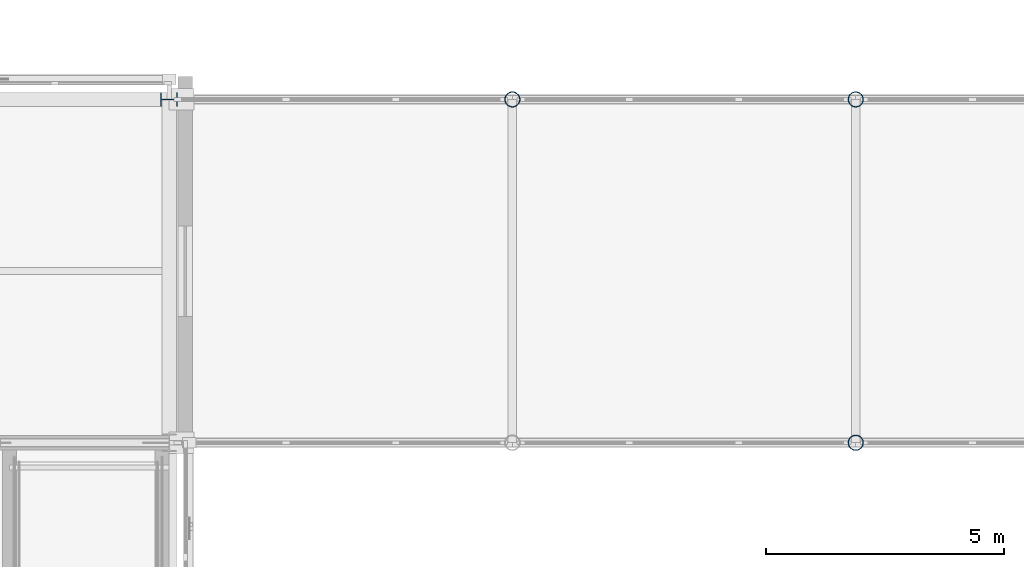
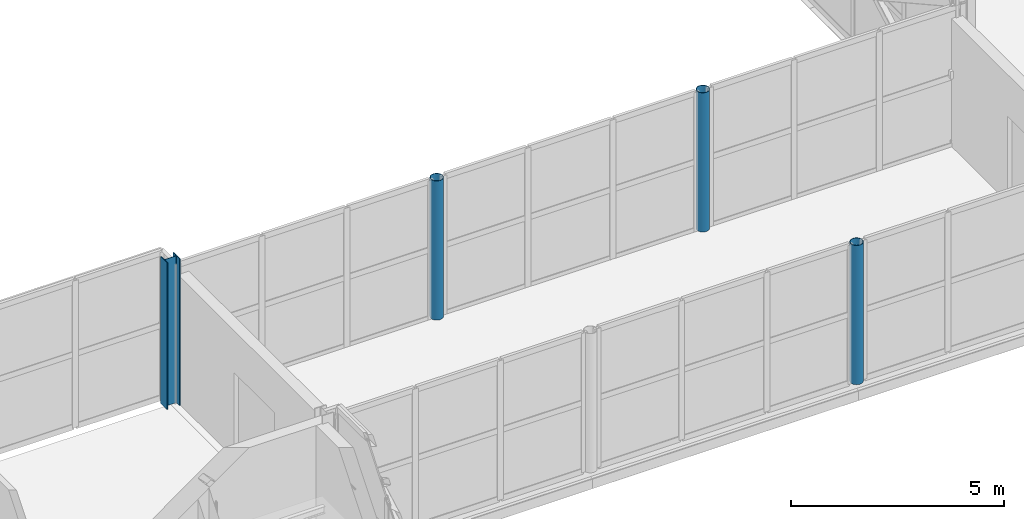
# One storey, part 7 of 126: 4 columns.
"""IFC4 building model written with IfcOpenShell, lengths in metres."""

from ifc_helpers import new_model, si_unit, direction, frame, origin, origin_2d, place, context, subcontext, project, spatial, hollow_circle, i_section, extrude, material, material_profile, profile_set, type_object, element, save


model = new_model("IFC4")

# Units and contexts
model_context = context("Model", 3, precision=1e-05, world=origin(), true_north=direction((0.0, 1.0)))
body_context = subcontext(model_context, "Body", "Model", "MODEL_VIEW")
ifc_project = project(units=[si_unit("LENGTHUNIT", "METRE"), si_unit("AREAUNIT", "SQUARE_METRE"), si_unit("VOLUMEUNIT", "CUBIC_METRE"), si_unit("PLANEANGLEUNIT", "RADIAN"), si_unit("MASSUNIT", "GRAM", prefix="KILO")], contexts=[model_context])

# Site, building, storey
site_placement = place(None, origin())
site = spatial("IfcSite", under=ifc_project, at=site_placement, CompositionType="ELEMENT")
building_placement = place(site_placement, origin())
building = spatial("IfcBuilding", under=site, at=building_placement, Name="Zlatovets Crest Museum", CompositionType="ELEMENT")
storey_placement = place(building_placement, frame((0.0, 0.0, 8.699951171875)))
storey = spatial("IfcBuildingStorey", under=building, at=storey_placement, Name="L02", CompositionType="ELEMENT", Elevation=8.699951171875)

# Columns
ifc_material = material(Name="Structural steel S355J2", Category="steel")
ifc_material_profile_1 = material_profile(ifc_material, i_section(OverallWidth=0.300048828125, OverallDepth=0.360107421875, WebThickness=0.012451171875, FlangeThickness=0.0224609375, FilletRadius=0.027099609375, at=origin_2d()), Name="HEB 360")
ifc_profile_set_1 = profile_set([ifc_material_profile_1], Name="Structural steel S355J2")
column_type_1 = type_object("IfcColumnType", Name="Col_C-08", PredefinedType="COLUMN", material=ifc_profile_set_1)
column_placement = place(storey_placement, frame((108.0, 28.800048828125, 0.0), z_axis=(0.0, 0.0, 1.0), x_axis=(0.0, 1.0, 0.0)))
element("IfcColumn", 1, at=column_placement, inside=storey, type_object=column_type_1, Name="V2 L02 Column (108.0, 28.8)", PredefinedType="COLUMN", context=body_context, shape_type="SweptSolid", body=[
    extrude(i_section(OverallWidth=0.300048828125, OverallDepth=0.360107421875, WebThickness=0.012451171875, FlangeThickness=0.0224609375, FilletRadius=0.027099609375, at=origin_2d()), origin(), (0.0, 0.0, 1.0), 4.199951171875),
])
ifc_material_profile_2 = material_profile(ifc_material, hollow_circle(Radius=0.161865234375, WallThickness=0.012451171875, at=origin_2d()), Name="CHS 323.9x12.5")
ifc_profile_set_2 = profile_set([ifc_material_profile_2], Name="Structural steel S355J2")
column_type_2 = type_object("IfcColumnType", Name="Col_C-13", PredefinedType="COLUMN", material=ifc_profile_set_2)
for number, where, z_axis, x_axis, name in (
    (2, (115.199951171875, 28.800048828125, 0.0), (0.0, 0.0, 1.0), (1.0, 0.0, 0.0), "Southeast Archive Glazed Link Bridge Portal Column"),
    (3, (122.39990234375, 21.60009765625, 0.0), (0.0, 0.0, 1.0), (1.0, 0.0, 0.0), "Southeast Archive Glazed Link Bridge Portal Column"),
    (4, (122.39990234375, 28.800048828125, 0.0), (0.0, 0.0, 1.0), (1.0, 0.0, 0.0), "Southeast Archive Glazed Link Bridge Portal Column"),
):
    element("IfcColumn", number, at=place(storey_placement, frame(where, z_axis=z_axis, x_axis=x_axis)), inside=storey, type_object=column_type_2, Name=name, PredefinedType="COLUMN", context=body_context, shape_type="SweptSolid", body=[
        extrude(hollow_circle(Radius=0.161865234375, WallThickness=0.012451171875, at=origin_2d()), origin(), (0.0, 0.0, 1.0), 3.97998046875),
    ])

save(model, "model.ifc")
